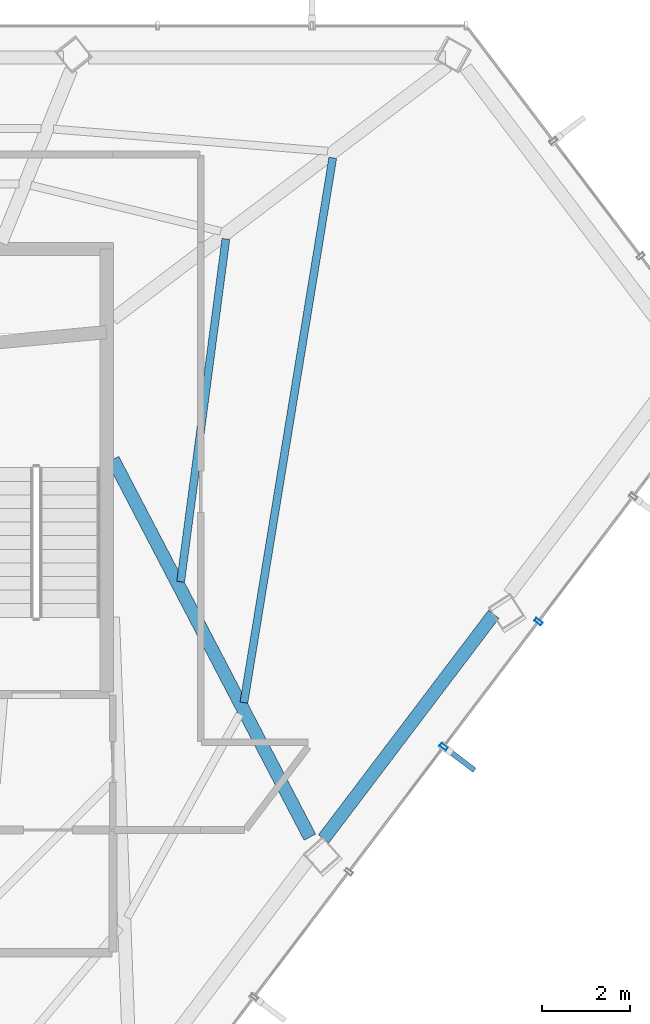
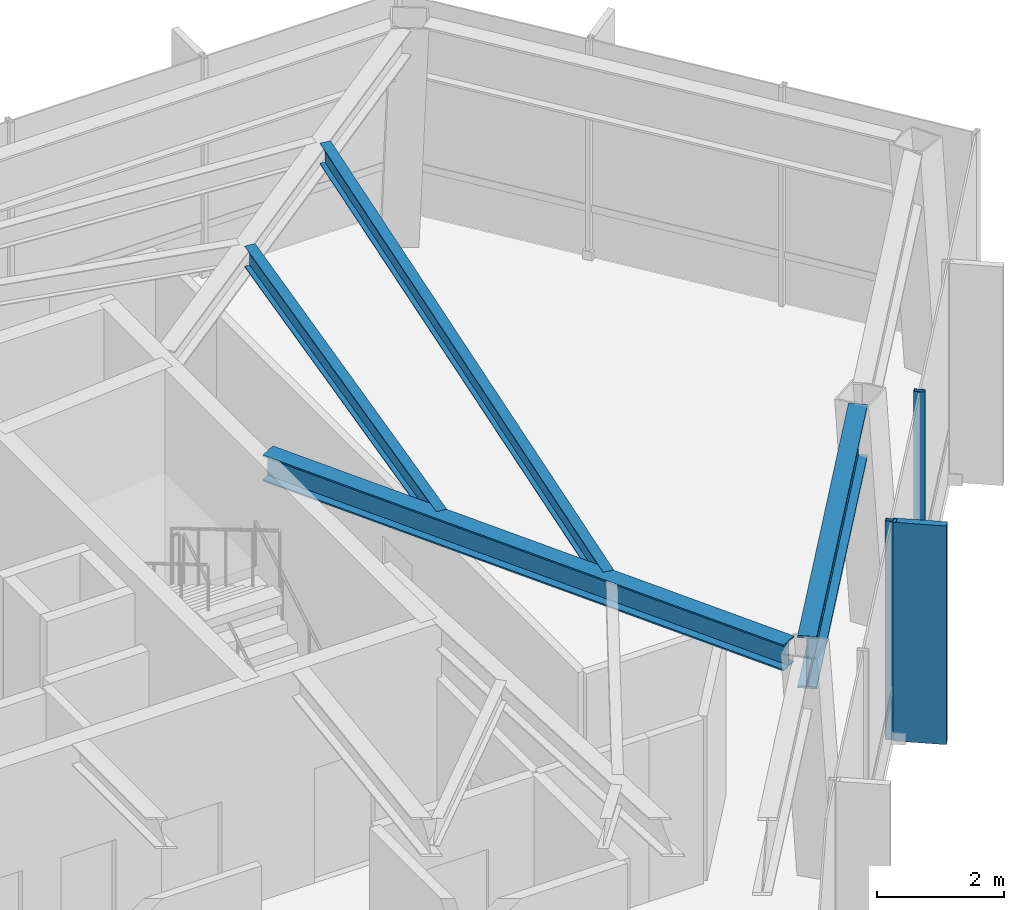
# One storey, part 14 of 22: 4 beams, 3 members, 1 element without a shape of its own.
"""IFC4 building model written with IfcOpenShell, lengths in metres."""

import ifcopenshell
import ifcopenshell.guid

model = None  # the IFC model being written
_history = None  # IfcOwnerHistory: only IFC2X3 demands one
_inside = {}  # id of a spatial element -> (the spatial element, [elements in it])
_under = {}  # id of a project, library or spatial element -> (it, [spatial elements below it])
_declared = {}  # id of a project -> (the project, [libraries it declares])
_typed = {}  # id of a type object -> (the type object, [elements of that type])
_made_of = {}  # id of a material, layer set ... -> (it, [elements and type objects made of it])


def new_model(schema):
    """Start an empty IFC model of exactly this schema.

    Asked for "IFC4X3", IfcOpenShell would pick the latest addendum, in which some entities
    have other attributes; the version numbers below select the first issue.
    IFC2X3 requires an IfcOwnerHistory on every rooted entity: one is made here for all.
    """
    global model, _history
    if schema == "IFC4X3":
        model = ifcopenshell.file(schema_version=(4, 3, 0, 0))
    else:
        model = ifcopenshell.file(schema=schema)
    _inside.clear()
    _under.clear()
    _declared.clear()
    _typed.clear()
    _made_of.clear()
    _history = None
    if model.schema == "IFC2X3":
        org = make("IfcOrganization", Name="unknown")
        user = make(
            "IfcPersonAndOrganization",
            ThePerson=make("IfcPerson", FamilyName="unknown"),
            TheOrganization=org,
        )
        app = make(
            "IfcApplication",
            ApplicationDeveloper=org,
            Version="unknown",
            ApplicationFullName="unknown",
            ApplicationIdentifier="unknown",
        )
        _history = make(
            "IfcOwnerHistory",
            OwningUser=user,
            OwningApplication=app,
            ChangeAction="ADDED",
            CreationDate=0,
        )
    return model


def make(cls, **values):
    """One entity of the class cls with the attributes given. An attribute that is None is left unset."""
    return model.create_entity(
        cls, **{name: value for name, value in values.items() if value is not None}
    )


def rooted(cls, **values):
    """An entity with a GlobalId (a new one), such as an element, a storey or a relation."""
    return make(cls, GlobalId=ifcopenshell.guid.new(), OwnerHistory=_history, **values)


def si_unit(unit_type, name, prefix=None):
    """IfcSIUnit, for example si_unit("LENGTHUNIT", "METRE", prefix="MILLI")."""
    return make("IfcSIUnit", UnitType=unit_type, Prefix=prefix, Name=name)


def assignment(units):
    """IfcUnitAssignment: the units of a project."""
    return None if units is None else make("IfcUnitAssignment", Units=units)


def point(xyz):
    """IfcCartesianPoint."""
    return None if xyz is None else make("IfcCartesianPoint", Coordinates=xyz)


def direction(xyz):
    """IfcDirection."""
    return None if xyz is None else make("IfcDirection", DirectionRatios=xyz)


def frame(location, z_axis=None, x_axis=None):
    """IfcAxis2Placement3D, a coordinate frame: its origin and axes. An axis left out is left unset."""
    return make(
        "IfcAxis2Placement3D",
        Location=point(location),
        Axis=direction(z_axis),
        RefDirection=direction(x_axis),
    )


def frame_2d(location, x_axis=None):
    """IfcAxis2Placement2D, a coordinate frame in the plane: its origin and x axis."""
    return make(
        "IfcAxis2Placement2D", Location=point(location), RefDirection=direction(x_axis)
    )


def origin():
    """The frame at (0, 0, 0) with its axes left unset."""
    return frame((0.0, 0.0, 0.0))


def origin_2d():
    """The frame at (0, 0) in the plane with its x axis left unset."""
    return frame_2d((0.0, 0.0))


def place(relative_to, where):
    """IfcLocalPlacement: puts the frame where relative to a parent placement (None: the world)."""
    return make(
        "IfcLocalPlacement", PlacementRelTo=relative_to, RelativePlacement=where
    )


def context(
    kind, dimensions, precision=None, world=None, true_north=None, identifier=None
):
    """IfcGeometricRepresentationContext, for example the 3D "Model" context."""
    return make(
        "IfcGeometricRepresentationContext",
        ContextIdentifier=identifier,
        ContextType=kind,
        CoordinateSpaceDimension=dimensions,
        Precision=precision,
        WorldCoordinateSystem=world,
        TrueNorth=true_north,
    )


def subcontext(parent, identifier, kind, view, scale=None):
    """IfcGeometricRepresentationSubContext, for example "Body" below "Model"."""
    return make(
        "IfcGeometricRepresentationSubContext",
        ContextIdentifier=identifier,
        ContextType=kind,
        ParentContext=parent,
        TargetScale=scale,
        TargetView=view,
    )


def project(units=None, contexts=None):
    """IfcProject with its units and contexts."""
    return rooted(
        "IfcProject",
        Name="project",
        RepresentationContexts=contexts,
        UnitsInContext=assignment(units),
    )


def spatial(cls, under=None, at=None, **own):
    """A site, building, storey or space (cls), placed at a placement, below another one or the project."""
    s = rooted(cls, ObjectPlacement=at, **own)
    if under is not None:
        _under.setdefault(under.id(), (under, []))[1].append(s)
    return s


def profile(cls, at=None, kind="AREA", **sizes):
    """A parametric profile (cls). Its sizes go by their IFC names, for example OverallWidth=200.0."""
    return make(cls, ProfileType=kind, Position=at, **sizes)


def rectangle(**sizes):
    """IfcRectangleProfileDef."""
    return profile("IfcRectangleProfileDef", **sizes)


def hollow_rectangle(**sizes):
    """IfcRectangleHollowProfileDef."""
    return profile("IfcRectangleHollowProfileDef", **sizes)


def i_section(**sizes):
    """IfcIShapeProfileDef."""
    return profile("IfcIShapeProfileDef", **sizes)


def extrude(swept, where, along, depth):
    """IfcExtrudedAreaSolid: the profile swept, set in the frame where, extruded along a direction by depth."""
    return make(
        "IfcExtrudedAreaSolid",
        SweptArea=swept,
        Position=where,
        ExtrudedDirection=direction(along),
        Depth=depth,
    )


def shape(context_of_items, identifier, shape_type, items):
    """IfcShapeRepresentation: the items that make up one representation, for example the "Body"."""
    return make(
        "IfcShapeRepresentation",
        ContextOfItems=context_of_items,
        RepresentationIdentifier=identifier,
        RepresentationType=shape_type,
        Items=items,
    )


def material(Name=None, Category=None):
    """IfcMaterial."""
    return make("IfcMaterial", Name=Name, Category=Category)


def layer(
    of_material, thickness, ventilated=None, Name=None, Category=None, Priority=None
):
    """IfcMaterialLayer: one layer of a wall or slab, of a material (None: an air gap)."""
    return make(
        "IfcMaterialLayer",
        Material=of_material,
        LayerThickness=thickness,
        IsVentilated=ventilated,
        Name=Name,
        Category=Category,
        Priority=Priority,
    )


def layer_set(layers, Name=None):
    """IfcMaterialLayerSet."""
    return make("IfcMaterialLayerSet", MaterialLayers=layers, LayerSetName=Name)


def material_profile(
    of_material, cross_section, Name=None, Category=None, Priority=None
):
    """IfcMaterialProfile: a cross section and its material."""
    return make(
        "IfcMaterialProfile",
        Name=Name,
        Material=of_material,
        Profile=cross_section,
        Priority=Priority,
        Category=Category,
    )


def profile_set(profiles, Name=None, composite=None):
    """IfcMaterialProfileSet."""
    return make(
        "IfcMaterialProfileSet",
        Name=Name,
        MaterialProfiles=profiles,
        CompositeProfile=composite,
    )


def made_of(thing, what):
    """Note that an element or type object is made of a material, layer set ...; save() writes the relation."""
    if what is not None:
        _made_of.setdefault(what.id(), (what, []))[1].append(thing)
    return thing


def type_object(cls, material=None, **own):
    """A type object (cls), such as IfcWallType, which elements share."""
    return made_of(rooted(cls, **own), material)


def element(
    cls,
    number,
    at=None,
    inside=None,
    cuts=None,
    type_object=None,
    material=None,
    context=None,
    identifier="Body",
    shape_type=None,
    held_by="IfcProductDefinitionShape",
    body=None,
    shapes=None,
    **own,
):
    """One element of the class cls, such as IfcWall. Its Tag is "e" and its number.

    at: its placement. inside: the storey or other place that contains it. cuts: it is an
    opening in that element (IfcRelVoidsElement). A single representation is given by context,
    identifier, shape_type and body (its items); several are given by shapes. held_by: the class
    of the entity that holds the representations. save() writes the other relations.
    """
    e = rooted(cls, Tag="e%d" % number, ObjectPlacement=at, **own)
    if body is not None:
        shapes = [shape(context, identifier, shape_type, body)]
    if shapes is not None:
        e.Representation = make(held_by, Representations=shapes)
    if inside is not None:
        _inside.setdefault(inside.id(), (inside, []))[1].append(e)
    if cuts is not None:
        rooted(
            "IfcRelVoidsElement", RelatingBuildingElement=cuts, RelatedOpeningElement=e
        )
    if type_object is not None:
        _typed.setdefault(type_object.id(), (type_object, []))[1].append(e)
    return made_of(e, material)


def aggregate(whole, parts):
    """IfcRelAggregates: a whole, such as a stair, and the parts it consists of."""
    return rooted("IfcRelAggregates", RelatingObject=whole, RelatedObjects=parts)


def save(model, path):
    """Write the relations noted so far, then the file.

    IfcRelAggregates (storeys below a building ...), IfcRelContainedInSpatialStructure (elements
    in a storey), IfcRelDefinesByType, IfcRelAssociatesMaterial and IfcRelDeclares: one each for
    every whole, place, type object, material and project.
    """
    for whole, parts in _under.values():
        aggregate(whole, parts)
    for where, things in _inside.values():
        rooted(
            "IfcRelContainedInSpatialStructure",
            RelatedElements=things,
            RelatingStructure=where,
        )
    for kind, things in _typed.values():
        rooted("IfcRelDefinesByType", RelatedObjects=things, RelatingType=kind)
    for what, things in _made_of.values():
        rooted("IfcRelAssociatesMaterial", RelatedObjects=things, RelatingMaterial=what)
    for by, libraries in _declared.values():
        rooted("IfcRelDeclares", RelatingContext=by, RelatedDefinitions=libraries)
    model.write(path)


model = new_model("IFC4")

# Units and contexts
model_context = context("Model", 3, precision=1e-05, world=origin(), true_north=direction((0.0, 1.0)))
body_context = subcontext(model_context, "Body", "Model", "MODEL_VIEW")
ifc_project = project(units=[si_unit("LENGTHUNIT", "METRE"), si_unit("AREAUNIT", "SQUARE_METRE"), si_unit("VOLUMEUNIT", "CUBIC_METRE"), si_unit("PLANEANGLEUNIT", "RADIAN"), si_unit("MASSUNIT", "GRAM", prefix="KILO")], contexts=[model_context])

# Site, building, storey
site_placement = place(None, origin())
site = spatial("IfcSite", under=ifc_project, at=site_placement, CompositionType="ELEMENT")
building_placement = place(site_placement, origin())
building = spatial("IfcBuilding", under=site, at=building_placement, Name="Zarrinselat Tower", CompositionType="ELEMENT")
storey_placement = place(building_placement, frame((0.0, 0.0, 204.340087890625)))
storey = spatial("IfcBuildingStorey", under=building, at=storey_placement, Name="L50", CompositionType="ELEMENT", Elevation=204.340087890625)

# Beams
ifc_material_1 = material(Name="Steel S355J2", Category="steel")
ifc_material_profile_1 = material_profile(ifc_material_1, i_section(OverallWidth=0.300048828125, OverallDepth=0.5, WebThickness=0.014404296875, FlangeThickness=0.028076171875, at=origin_2d()), Name="HEB 500")
ifc_profile_set_1 = profile_set([ifc_material_profile_1], Name="Steel S355J2")
beam_type_1 = type_object("IfcBeamType", Name="BM-HEB500", PredefinedType="BEAM", material=ifc_profile_set_1)
beam_1_placement = place(storey_placement, frame((48.35009765625, 38.60009765625, 3.949951171875), z_axis=(0.462230966052, -0.886759569457, 0.0), x_axis=(0.886759569457, 0.462230966052, 0.0)))
element("IfcBeam", 1, at=beam_1_placement, inside=storey, type_object=beam_type_1, Name="L50 Radial Primary Girder RG13", PredefinedType="BEAM", context=body_context, shape_type="SweptSolid", body=[
    extrude(i_section(OverallWidth=0.300048828125, OverallDepth=0.5, WebThickness=0.014404296875, FlangeThickness=0.028076171875, at=origin_2d()), origin(), (0.0, 0.0, 1.0), 9.713134765625),
])
ifc_material_2 = material(Name="Steel S460M", Category="steel")
ifc_material_profile_2 = material_profile(ifc_material_2, i_section(OverallWidth=0.302001953125, OverallDepth=1.008056640625, WebThickness=0.02099609375, FlangeThickness=0.0400390625, at=origin_2d()), Name="HEM 1000")
ifc_profile_set_2 = profile_set([ifc_material_profile_2], Name="Steel S460M")
beam_type_2 = type_object("IfcBeamType", Name="BM-HEM1000", PredefinedType="BEAM", material=ifc_profile_set_2)
beam_2_placement = place(storey_placement, frame((53.1533203125, 29.94873046875, 3.69580078125), z_axis=(0.603878909559, 0.797076070768, 0.0), x_axis=(-0.797076070768, 0.603878909559, 0.0)))
element("IfcBeam", 2, at=beam_2_placement, inside=storey, type_object=beam_type_2, Name="L50 Perimeter Spandrel Girder SP13", PredefinedType="BEAM", context=body_context, shape_type="SweptSolid", body=[
    extrude(i_section(OverallWidth=0.302001953125, OverallDepth=1.008056640625, WebThickness=0.02099609375, FlangeThickness=0.0400390625, at=origin_2d()), origin(), (0.0, 0.0, 1.0), 6.42333984375),
])
ifc_material_3 = material(Name="Steel S355J2", Category="steel")
ifc_material_profile_3 = material_profile(ifc_material_3, i_section(OverallWidth=0.179931640625, OverallDepth=0.39990234375, WebThickness=0.008544921875, FlangeThickness=0.013427734375, at=origin_2d()), Name="IPE 400")
ifc_profile_set_3 = profile_set([ifc_material_profile_3], Name="Steel S355J2")
beam_type_3 = type_object("IfcBeamType", Name="BM-IPE400", PredefinedType="JOIST", material=ifc_profile_set_3)
beam_3_placement = place(storey_placement, frame((51.335693359375, 33.053466796875, 4.0), z_axis=(0.160956842777, 0.986961445429, 0.0), x_axis=(-0.986961445429, 0.160956842777, 0.0)))
element("IfcBeam", 3, at=beam_3_placement, inside=storey, type_object=beam_type_3, Name="L50 Composite Floor Joist 5-1", PredefinedType="JOIST", context=body_context, shape_type="SweptSolid", body=[
    extrude(i_section(OverallWidth=0.179931640625, OverallDepth=0.39990234375, WebThickness=0.008544921875, FlangeThickness=0.013427734375, at=origin_2d()), origin(), (0.0, 0.0, 1.0), 12.58642578125),
])
beam_4_placement = place(storey_placement, frame((49.894775390625, 35.810302734375, 4.0), z_axis=(0.130690837588, 0.991423171492, 0.0), x_axis=(-0.991423171492, 0.130690837588, 0.0)))
element("IfcBeam", 4, at=beam_4_placement, inside=storey, type_object=beam_type_3, Name="L50 Composite Floor Joist 5-2", PredefinedType="JOIST", context=body_context, shape_type="SweptSolid", body=[
    extrude(i_section(OverallWidth=0.179931640625, OverallDepth=0.39990234375, WebThickness=0.008544921875, FlangeThickness=0.013427734375, at=origin_2d()), origin(), (0.0, 0.0, 1.0), 7.88330078125),
])

# Curtain wall, members
ifc_material_4 = material(Name="Extruded Aluminium Alloy EN AW-6063 T6", Category="aluminium")
ifc_layer = layer(ifc_material_4, 0.195068359375)
ifc_layer_set = layer_set([ifc_layer], Name="Extruded Aluminium Alloy EN AW-6063 T6")
curtain_wall_type = type_object("IfcCurtainWallType", Name="CWS-GDN", PredefinedType="NOTDEFINED", material=ifc_layer_set)
curtain_wall_placement = place(storey_placement, origin())
curtain_wall = element("IfcCurtainWall", 5, at=curtain_wall_placement, inside=storey, type_object=curtain_wall_type, Name="L50 Unitised Curtain Wall CW-L50-E04", PredefinedType="NOTDEFINED")
ifc_material_5 = material(Name="Extruded Aluminium Alloy EN AW-6063 T6", Category="aluminium")
ifc_material_profile_4 = material_profile(ifc_material_5, hollow_rectangle(XDim=0.080078125, YDim=0.179931640625, WallThickness=0.0048828125, at=origin_2d()), Name="RHS 180x80x5")
ifc_profile_set_4 = profile_set([ifc_material_profile_4], Name="Extruded Aluminium Alloy EN AW-6063 T6")
member_type_1 = type_object("IfcMemberType", Name="MEM-CW-MUL", PredefinedType="MULLION", material=ifc_profile_set_4)
member_1_placement = place(storey_placement, frame((58.05029296875, 34.900634765625, 0.0), z_axis=(0.0, 0.0, 1.0), x_axis=(-0.603858158606, -0.79709179163, 0.0)))
member_1 = element("IfcMember", 6, at=member_1_placement, type_object=member_type_1, Name="CW-L50-E04 Mullion 2", PredefinedType="MULLION", context=body_context, shape_type="SweptSolid", body=[
    extrude(hollow_rectangle(XDim=0.080078125, YDim=0.179931640625, WallThickness=0.0048828125, at=origin_2d()), origin(), (0.0, 0.0, 1.0), 4.199951171875),
])
member_2_placement = place(storey_placement, frame((55.888671875, 32.04736328125, 0.0), z_axis=(0.0, 0.0, 1.0), x_axis=(-0.603858158606, -0.79709179163, 0.0)))
member_2 = element("IfcMember", 7, at=member_2_placement, type_object=member_type_1, Name="CW-L50-E04 Mullion 3", PredefinedType="MULLION", context=body_context, shape_type="SweptSolid", body=[
    extrude(hollow_rectangle(XDim=0.080078125, YDim=0.179931640625, WallThickness=0.0048828125, at=origin_2d()), origin(), (0.0, 0.0, 1.0), 4.199951171875),
])
ifc_material_6 = material(Name="Honed Cream Travertine Stone", Category="masonry")
ifc_material_profile_5 = material_profile(ifc_material_6, rectangle(XDim=0.1201171875, YDim=0.85009765625, at=origin_2d()), Name="FIN 850x120")
ifc_profile_set_5 = profile_set([ifc_material_profile_5], Name="Honed Cream Travertine Stone")
member_type_2 = type_object("IfcMemberType", Name="MEM-STONE-FIN", PredefinedType="USERDEFINED", material=ifc_profile_set_5)
member_3_placement = place(storey_placement, frame((56.25537109375, 31.76953125, 0.0), z_axis=(0.0, 0.0, 1.0), x_axis=(-0.603858158606, -0.79709179163, 0.0)))
member_3 = element("IfcMember", 8, at=member_3_placement, type_object=member_type_2, Name="L50 Stone Shading Fin CW-L50-E04-03", ObjectType="FIN", PredefinedType="USERDEFINED", context=body_context, shape_type="SweptSolid", body=[
    extrude(rectangle(XDim=0.1201171875, YDim=0.85009765625, at=origin_2d()), origin(), (0.0, 0.0, 1.0), 4.199951171875),
])
aggregate(curtain_wall, [member_1, member_2, member_3])

save(model, "model.ifc")
